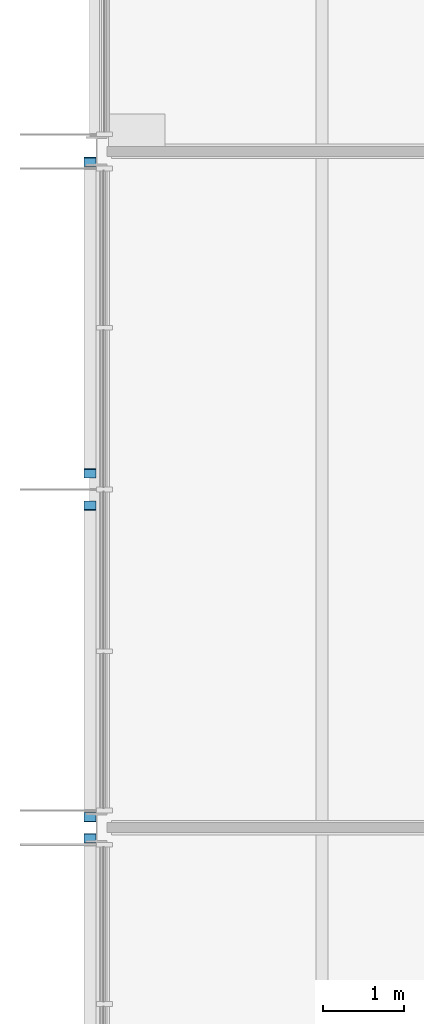
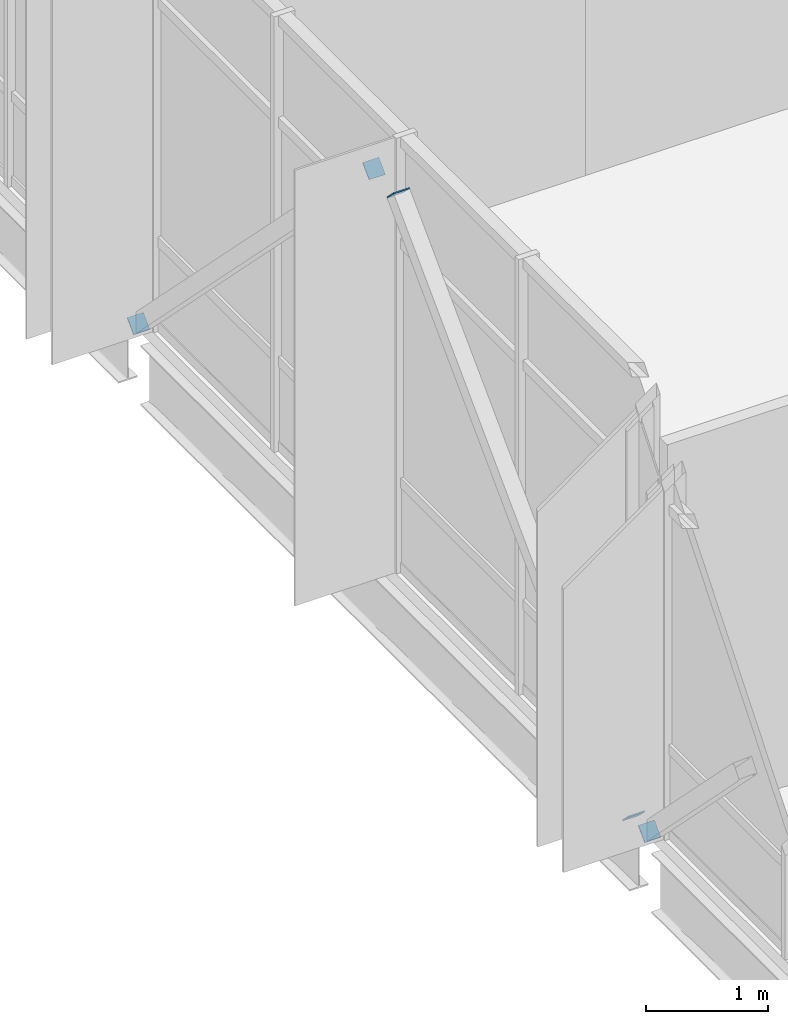
# One storey, part 14 of 17: 5 discrete accessories.
"""IFC4 building model written with IfcOpenShell, lengths in metres."""

from ifc_helpers import new_model, si_unit, direction, frame, origin, origin_2d, place, context, subcontext, project, spatial, rectangle, extrude, material, element, save


model = new_model("IFC4")

# Units and contexts
model_context = context("Model", 3, precision=1e-05, world=origin(), true_north=direction((0.0, 1.0)))
body_context = subcontext(model_context, "Body", "Model", "MODEL_VIEW")
ifc_project = project(units=[si_unit("LENGTHUNIT", "METRE"), si_unit("AREAUNIT", "SQUARE_METRE"), si_unit("VOLUMEUNIT", "CUBIC_METRE"), si_unit("PLANEANGLEUNIT", "RADIAN"), si_unit("MASSUNIT", "GRAM", prefix="KILO")], contexts=[model_context])

# Site, building, storey
site_placement = place(None, origin())
site = spatial("IfcSite", under=ifc_project, at=site_placement, CompositionType="ELEMENT")
building_placement = place(site_placement, origin())
building = spatial("IfcBuilding", under=site, at=building_placement, Name="Hlaing Beacon Police Headquarters", CompositionType="ELEMENT")
storey_placement = place(building_placement, frame((0.0, 0.0, 36.89990234375)))
storey = spatial("IfcBuildingStorey", under=building, at=storey_placement, Name="L08", CompositionType="ELEMENT", Elevation=36.89990234375)

# Discrete accessories
ifc_material = material(Name="Steel ASTM A572 Grade 50", Category="steel")
for number, where, z_axis, x_axis, name in (
    (1, (100.7197265625, 50.265869140625, 0.058349609375), (0.0, 0.704124468733, -0.710076568077), (-1.0, 0.0, 0.0), "Gusset plate GP-083"),
    (2, (100.7197265625, 50.5341796875, 0.058349609375), (0.0, -0.70410207141, -0.710098776958), (1.0, 0.0, 0.0), "Gusset plate GP-085"),
    (3, (100.7197265625, 54.3955078125, 3.95263671875), (0.0, 0.70410207141, 0.710098776958), (-1.0, 0.0, 0.0), "Gusset plate GP-086"),
    (4, (100.7197265625, 58.665771484375, 0.058349609375), (0.0, 0.70410207141, -0.710098776958), (-1.0, 0.0, 0.0), "Gusset plate GP-087"),
    (5, (100.7197265625, 54.804443359375, 3.95263671875), (0.0, -0.70410207141, 0.710098776958), (1.0, 0.0, 0.0), "Gusset plate GP-088"),
):
    element("IfcDiscreteAccessory", number, at=place(storey_placement, frame(where, z_axis=z_axis, x_axis=x_axis)), inside=storey, material=ifc_material, Name=name, PredefinedType="BRACKET", context=body_context, shape_type="SweptSolid", body=[
        extrude(rectangle(XDim=0.15234375, YDim=0.15234375, at=origin_2d()), origin(), (0.0, 0.0, 1.0), 0.011962890625),
    ])

save(model, "model.ifc")
